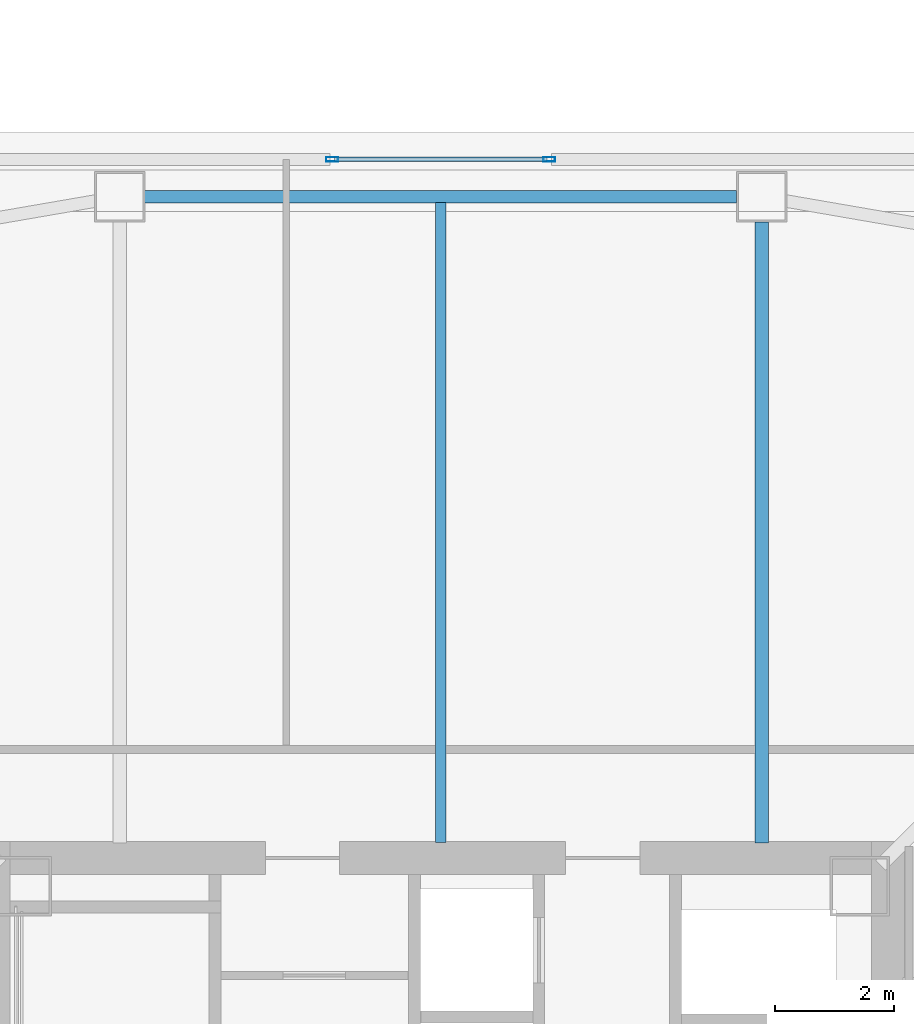
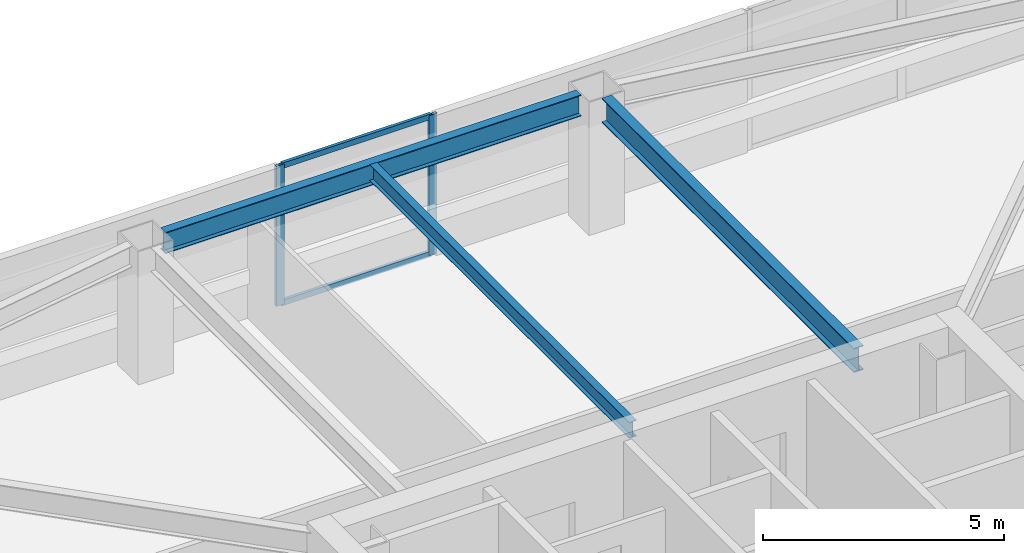
# One storey, part 14 of 44: 4 members, 3 beams, 1 element without a shape of its own.
"""IFC4 building model written with IfcOpenShell, lengths in metres."""

from ifc_helpers import new_model, si_unit, direction, frame, origin, origin_2d, place, context, subcontext, project, spatial, hollow_rectangle, i_section, extrude, material, material_profile, profile_set, type_object, element, aggregate, save


model = new_model("IFC4")

# Units and contexts
model_context = context("Model", 3, precision=1e-05, world=origin(), true_north=direction((0.0, 1.0)))
body_context = subcontext(model_context, "Body", "Model", "MODEL_VIEW")
ifc_project = project(units=[si_unit("LENGTHUNIT", "METRE"), si_unit("AREAUNIT", "SQUARE_METRE"), si_unit("VOLUMEUNIT", "CUBIC_METRE"), si_unit("PLANEANGLEUNIT", "RADIAN"), si_unit("MASSUNIT", "GRAM", prefix="KILO")], contexts=[model_context])

# Site, building, storey
site_placement = place(None, origin())
site = spatial("IfcSite", under=ifc_project, at=site_placement, CompositionType="ELEMENT")
building_placement = place(site_placement, origin())
building = spatial("IfcBuilding", under=site, at=building_placement, Name="Tashvorn Skyway Center", CompositionType="ELEMENT")
storey_placement = place(building_placement, frame((0.0, 0.0, 128.60009765625)))
storey = spatial("IfcBuildingStorey", under=building, at=storey_placement, Name="L34", CompositionType="ELEMENT", Elevation=128.60009765625)

# Beams
ifc_material_1 = material(Name="Steel ASTM A992 Grade 50", Category="steel")
ifc_material_profile_1 = material_profile(ifc_material_1, i_section(OverallWidth=0.22998046875, OverallDepth=0.616943359375, WebThickness=0.01318359375, FlangeThickness=0.022216796875, at=origin_2d()), Name="W24X94")
ifc_profile_set_1 = profile_set([ifc_material_profile_1], Name="Steel ASTM A992 Grade 50")
beam_type_1 = type_object("IfcBeamType", Name="BM-BEAM-W24X94", PredefinedType="BEAM", material=ifc_profile_set_1)
beam_1_placement = place(storey_placement, frame((47.39990234375, 50.22998046875, 3.0615234375), z_axis=(0.0, -1.0, 0.0), x_axis=(1.0, 0.0, 0.0)))
element("IfcBeam", 1, at=beam_1_placement, inside=storey, type_object=beam_type_1, Name="Tower 1 L34 Primary Floor Girder FC-N1", PredefinedType="BEAM", context=body_context, shape_type="SweptSolid", body=[
    extrude(i_section(OverallWidth=0.22998046875, OverallDepth=0.616943359375, WebThickness=0.01318359375, FlangeThickness=0.022216796875, at=origin_2d()), origin(), (0.0, 0.0, 1.0), 10.449951171875),
])
ifc_material_profile_2 = material_profile(ifc_material_1, i_section(OverallWidth=0.177978515625, OverallDepth=0.406005859375, WebThickness=0.0078125, FlangeThickness=0.0126953125, at=origin_2d()), Name="W16X40")
ifc_profile_set_2 = profile_set([ifc_material_profile_2], Name="Steel ASTM A992 Grade 50")
beam_type_2 = type_object("IfcBeamType", Name="BM-JOIST-W16X40", PredefinedType="JOIST", material=ifc_profile_set_2)
beam_2_placement = place(storey_placement, frame((42.0, 39.7900390625, 3.1669921875), z_axis=(0.0, 1.0, 0.0), x_axis=(-1.0, 0.0, 0.0)))
element("IfcBeam", 2, at=beam_2_placement, inside=storey, type_object=beam_type_2, Name="Tower 1 L34 Secondary Composite Joist JN", PredefinedType="JOIST", context=body_context, shape_type="SweptSolid", body=[
    extrude(i_section(OverallWidth=0.177978515625, OverallDepth=0.406005859375, WebThickness=0.0078125, FlangeThickness=0.0126953125, at=origin_2d()), origin(), (0.0, 0.0, 1.0), 10.762451171875),
])
ifc_material_profile_3 = material_profile(ifc_material_1, i_section(OverallWidth=0.2109375, OverallDepth=0.5390625, WebThickness=0.01171875, FlangeThickness=0.018798828125, at=origin_2d()), Name="W21X73")
ifc_profile_set_3 = profile_set([ifc_material_profile_3], Name="Steel ASTM A992 Grade 50")
beam_type_3 = type_object("IfcBeamType", Name="BM-SPANDREL-W21X73", PredefinedType="SPANDREL", material=ifc_profile_set_3)
beam_3_placement = place(storey_placement, frame((46.97998046875, 50.64990234375, 3.100341796875), z_axis=(-1.0, 0.0, 0.0), x_axis=(0.0, -1.0, 0.0)))
element("IfcBeam", 3, at=beam_3_placement, inside=storey, type_object=beam_type_3, Name="Tower 1 L34 Spandrel Beam 08", PredefinedType="SPANDREL", context=body_context, shape_type="SweptSolid", body=[
    extrude(i_section(OverallWidth=0.2109375, OverallDepth=0.5390625, WebThickness=0.01171875, FlangeThickness=0.018798828125, at=origin_2d()), origin(), (0.0, 0.0, 1.0), 9.9599609375),
])

# Curtain wall, members
ifc_material_2 = material(Name="Thermally broken bronze-anodized aluminium 6063-T6", Category="aluminium")
curtain_wall_type = type_object("IfcCurtainWallType", Name="CW-CW-Z3", PredefinedType="NOTDEFINED", material=ifc_material_2)
curtain_wall_placement = place(storey_placement, origin())
curtain_wall = element("IfcCurtainWall", 4, at=curtain_wall_placement, inside=storey, type_object=curtain_wall_type, Name="Tower 1 L34 North Unitised Curtain Wall Glazing Group 2", PredefinedType="NOTDEFINED")
ifc_material_profile_4 = material_profile(ifc_material_2, hollow_rectangle(XDim=0.074951171875, YDim=0.199951171875, WallThickness=0.00439453125, at=origin_2d()), Name="ALU-MULL-75x200")
ifc_profile_set_4 = profile_set([ifc_material_profile_4], Name="Thermally broken bronze-anodized aluminium 6063-T6")
member_type_1 = type_object("IfcMemberType", Name="CWM-CW-Z3", PredefinedType="MULLION", material=ifc_profile_set_4)
member_1_placement = place(storey_placement, frame((40.173095703125, 51.280029296875, 0.0), z_axis=(0.0, 0.0, 1.0), x_axis=(0.0, 1.0, 0.0)))
member_1 = element("IfcMember", 5, at=member_1_placement, type_object=member_type_1, Name="CW-Z3 mullion 1", PredefinedType="MULLION", context=body_context, shape_type="SweptSolid", body=[
    extrude(hollow_rectangle(XDim=0.074951171875, YDim=0.199951171875, WallThickness=0.00439453125, at=origin_2d()), origin(), (0.0, 0.0, 1.0), 3.5498046875),
])
member_2_placement = place(storey_placement, frame((43.826904296875, 51.280029296875, 0.0), z_axis=(0.0, 0.0, 1.0), x_axis=(0.0, 1.0, 0.0)))
member_2 = element("IfcMember", 6, at=member_2_placement, type_object=member_type_1, Name="CW-Z3 mullion 2", PredefinedType="MULLION", context=body_context, shape_type="SweptSolid", body=[
    extrude(hollow_rectangle(XDim=0.074951171875, YDim=0.199951171875, WallThickness=0.00439453125, at=origin_2d()), origin(), (0.0, 0.0, 1.0), 3.5498046875),
])
ifc_material_profile_5 = material_profile(ifc_material_2, hollow_rectangle(XDim=0.074951171875, YDim=0.139892578125, WallThickness=0.004150390625, at=origin_2d()), Name="ALU-TRAN-75x140")
ifc_profile_set_5 = profile_set([ifc_material_profile_5], Name="Thermally broken bronze-anodized aluminium 6063-T6")
member_type_2 = type_object("IfcMemberType", Name="CWT-CW-Z3", PredefinedType="USERDEFINED", material=ifc_profile_set_5)
member_3_placement = place(storey_placement, frame((40.210693359375, 51.280029296875, 0.037353515625), z_axis=(1.0, 0.0, 0.0), x_axis=(0.0, 1.0, 0.0)))
member_3 = element("IfcMember", 7, at=member_3_placement, type_object=member_type_2, Name="CW-Z3 transom 1.1", ObjectType="TRANSOM", PredefinedType="USERDEFINED", context=body_context, shape_type="SweptSolid", body=[
    extrude(hollow_rectangle(XDim=0.074951171875, YDim=0.139892578125, WallThickness=0.004150390625, at=origin_2d()), origin(), (0.0, 0.0, 1.0), 3.57861328125),
])
member_4_placement = place(storey_placement, frame((40.210693359375, 51.280029296875, 3.512451171875), z_axis=(1.0, 0.0, 0.0), x_axis=(0.0, 1.0, 0.0)))
member_4 = element("IfcMember", 8, at=member_4_placement, type_object=member_type_2, Name="CW-Z3 transom 1.2", ObjectType="TRANSOM", PredefinedType="USERDEFINED", context=body_context, shape_type="SweptSolid", body=[
    extrude(hollow_rectangle(XDim=0.074951171875, YDim=0.139892578125, WallThickness=0.004150390625, at=origin_2d()), origin(), (0.0, 0.0, 1.0), 3.57861328125),
])
aggregate(curtain_wall, [member_1, member_2, member_3, member_4])

save(model, "model.ifc")
